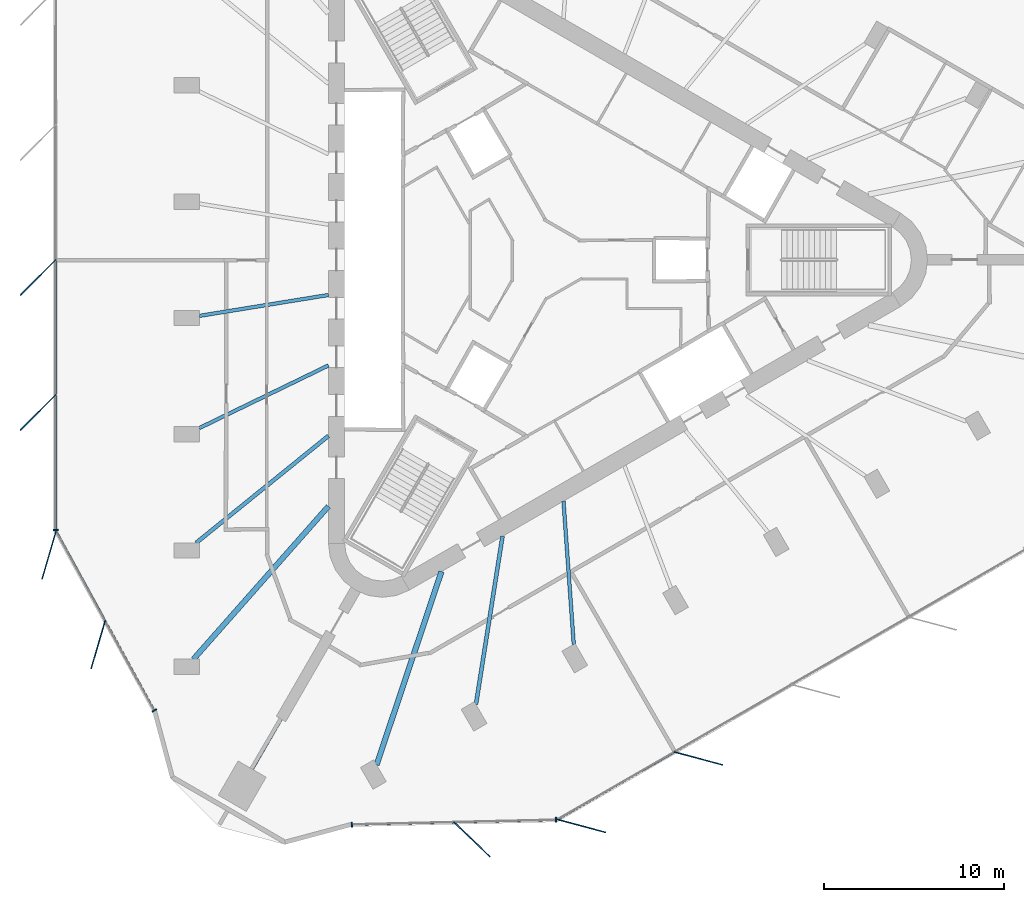
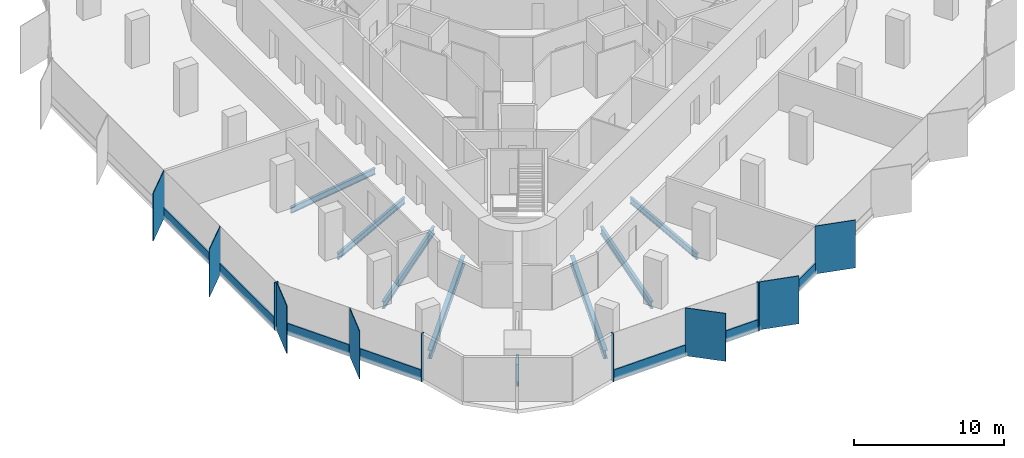
# One storey, part 2 of 12: 18 members, 8 beams, 4 elements without a shape of their own.
"""IFC4 building model written with IfcOpenShell, lengths in metres."""

from ifc_helpers import new_model, si_unit, direction, frame, origin, origin_2d, place, context, subcontext, project, spatial, rectangle, i_section, extrude, material, material_profile, profile_set, type_object, element, aggregate, save


model = new_model("IFC4")

# Units and contexts
model_context = context("Model", 3, precision=1e-05, world=origin(), true_north=direction((0.0, 1.0)))
body_context = subcontext(model_context, "Body", "Model", "MODEL_VIEW")
ifc_project = project(units=[si_unit("LENGTHUNIT", "METRE"), si_unit("AREAUNIT", "SQUARE_METRE"), si_unit("VOLUMEUNIT", "CUBIC_METRE"), si_unit("PLANEANGLEUNIT", "RADIAN"), si_unit("MASSUNIT", "GRAM", prefix="KILO")], contexts=[model_context])

# Site, building, storey
site_placement = place(None, origin())
site = spatial("IfcSite", under=ifc_project, at=site_placement, CompositionType="ELEMENT")
building_placement = place(site_placement, origin())
building = spatial("IfcBuilding", under=site, at=building_placement, Name="Tanit Gate Tower", CompositionType="ELEMENT")
storey_placement = place(building_placement, frame((0.0, 0.0, 337.699951171875)))
storey = spatial("IfcBuildingStorey", under=building, at=storey_placement, Name="L76", CompositionType="ELEMENT", Elevation=337.699951171875)

# Curtain wall, members
ifc_material_1 = material(Name="Aluminium bronze anodised and glass", Category="aluminium")
curtain_wall_type = type_object("IfcCurtainWallType", Name="Curtain wall typical high", PredefinedType="NOTDEFINED", material=ifc_material_1)
curtain_wall_1_placement = place(storey_placement, origin())
curtain_wall_1 = element("IfcCurtainWall", 1, at=curtain_wall_1_placement, inside=storey, type_object=curtain_wall_type, Name="Curtain wall L76 W2", PredefinedType="NOTDEFINED")
ifc_material_2 = material(Name="Aluminium bronze anodised", Category="aluminium")
ifc_material_profile_1 = material_profile(ifc_material_2, rectangle(XDim=2.800048828125, YDim=0.055908203125, at=origin_2d()), Name="56x2800 bronze fin mullion")
ifc_profile_set_1 = profile_set([ifc_material_profile_1], Name="Aluminium bronze anodised")
member_type_1 = type_object("IfcMemberType", Name="FIN MULLION 56x2800 bronze", PredefinedType="MULLION", material=ifc_profile_set_1)
member_1_placement = place(storey_placement, frame((-28.233642578125, -0.975830078125, -0.300048828125), z_axis=(0.0, 0.0, 1.0), x_axis=(0.707155809403, 0.707057749571, 0.0)))
member_1 = element("IfcMember", 2, at=member_1_placement, type_object=member_type_1, Name="Fin mullion L76 W2.3", PredefinedType="MULLION", context=body_context, shape_type="SweptSolid", body=[
    extrude(rectangle(XDim=2.800048828125, YDim=0.055908203125, at=origin_2d()), origin(), (0.0, 0.0, 1.0), 3.900146484375),
])
member_2_placement = place(storey_placement, frame((-28.234130859375, -8.47998046875, -0.300048828125), z_axis=(0.0, 0.0, 1.0), x_axis=(0.707155809403, 0.707057749571, 0.0)))
member_2 = element("IfcMember", 3, at=member_2_placement, type_object=member_type_1, Name="Fin mullion L76 W2.4", PredefinedType="MULLION", context=body_context, shape_type="SweptSolid", body=[
    extrude(rectangle(XDim=2.800048828125, YDim=0.055908203125, at=origin_2d()), origin(), (0.0, 0.0, 1.0), 3.900146484375),
])

curtain_wall_2_placement = place(storey_placement, origin())
curtain_wall_2 = element("IfcCurtainWall", 4, at=curtain_wall_2_placement, inside=storey, type_object=curtain_wall_type, Name="Curtain wall L76 W3", PredefinedType="NOTDEFINED")
member_3_placement = place(storey_placement, frame((-27.627197265625, -16.40771484375, -0.300048828125), z_axis=(0.0, 0.0, 1.0), x_axis=(0.280851527319, 0.959751227977, 0.0)))
member_3 = element("IfcMember", 5, at=member_3_placement, type_object=member_type_1, Name="Fin mullion L76 W3.1", PredefinedType="MULLION", context=body_context, shape_type="SweptSolid", body=[
    extrude(rectangle(XDim=2.800048828125, YDim=0.055908203125, at=origin_2d()), origin(), (0.0, 0.0, 1.0), 3.900146484375),
])
member_4_placement = place(storey_placement, frame((-24.899658203125, -21.391845703125, -0.300048828125), z_axis=(0.0, 0.0, 1.0), x_axis=(0.280851527319, 0.959751227977, 0.0)))
member_4 = element("IfcMember", 6, at=member_4_placement, type_object=member_type_1, Name="Fin mullion L76 W3.2", PredefinedType="MULLION", context=body_context, shape_type="SweptSolid", body=[
    extrude(rectangle(XDim=2.800048828125, YDim=0.055908203125, at=origin_2d()), origin(), (0.0, 0.0, 1.0), 3.900146484375),
])

# Curtain wall, member
curtain_wall_3_placement = place(storey_placement, origin())
curtain_wall_3 = element("IfcCurtainWall", 7, at=curtain_wall_3_placement, inside=storey, type_object=curtain_wall_type, Name="Curtain wall L76 SE1", PredefinedType="NOTDEFINED")
member_5_placement = place(storey_placement, frame((-4.125, -32.2138671875, -0.300048828125), z_axis=(0.0, 0.0, 1.0), x_axis=(-0.723210744855, 0.690627409336, 0.0)))
member_5 = element("IfcMember", 8, at=member_5_placement, type_object=member_type_1, Name="Fin mullion L76 SE1.2", PredefinedType="MULLION", context=body_context, shape_type="SweptSolid", body=[
    extrude(rectangle(XDim=2.800048828125, YDim=0.055908203125, at=origin_2d()), origin(), (0.0, 0.0, 1.0), 3.900146484375),
])

# Curtain wall, members
curtain_wall_4_placement = place(storey_placement, origin())
curtain_wall_4 = element("IfcCurtainWall", 9, at=curtain_wall_4_placement, inside=storey, type_object=curtain_wall_type, Name="Curtain wall L76 SE2", PredefinedType="NOTDEFINED")
member_6_placement = place(storey_placement, frame((1.964111328125, -31.46630859375, -0.300048828125), z_axis=(0.0, 0.0, 1.0), x_axis=(-0.965907877772, 0.258886020591, 0.0)))
member_6 = element("IfcMember", 10, at=member_6_placement, type_object=member_type_1, Name="Fin mullion L76 SE2.1", PredefinedType="MULLION", context=body_context, shape_type="SweptSolid", body=[
    extrude(rectangle(XDim=2.800048828125, YDim=0.055908203125, at=origin_2d()), origin(), (0.0, 0.0, 1.0), 3.900146484375),
])
member_7_placement = place(storey_placement, frame((8.463134765625, -27.71484375, -0.300048828125), z_axis=(0.0, 0.0, 1.0), x_axis=(-0.965907877772, 0.258886020591, 0.0)))
member_7 = element("IfcMember", 11, at=member_7_placement, type_object=member_type_1, Name="Fin mullion L76 SE2.2", PredefinedType="MULLION", context=body_context, shape_type="SweptSolid", body=[
    extrude(rectangle(XDim=2.800048828125, YDim=0.055908203125, at=origin_2d()), origin(), (0.0, 0.0, 1.0), 3.900146484375),
])

# Member
ifc_material_3 = material(Name="Aluminium bronze anodised", Category="aluminium")
ifc_material_profile_2 = material_profile(ifc_material_3, rectangle(XDim=0.280029296875, YDim=0.080078125, at=origin_2d()), Name="80x280 bronze mullion")
ifc_profile_set_2 = profile_set([ifc_material_profile_2], Name="Aluminium bronze anodised")
member_type_2 = type_object("IfcMemberType", Name="Mullion 80x280 typical high", PredefinedType="MULLION", material=ifc_profile_set_2)
member_8_placement = place(storey_placement, frame((-27.2587890625, -15.008056640625, -0.300048828125), z_axis=(0.0, 0.0, 1.0), x_axis=(0.999999997596, -6.9338772e-05, 0.0)))
member_8 = element("IfcMember", 12, at=member_8_placement, type_object=member_type_2, Name="Mullion L76 W2.5", PredefinedType="MULLION", context=body_context, shape_type="SweptSolid", body=[
    extrude(rectangle(XDim=0.280029296875, YDim=0.080078125, at=origin_2d()), origin(), (0.0, 0.0, 1.0), 3.900146484375),
])

member_9_placement = place(storey_placement, frame((-21.78466796875, -25.051025390625, -0.300048828125), z_axis=(0.0, 0.0, 1.0), x_axis=(0.877238621028, 0.48005458208, 0.0)))
member_9 = element("IfcMember", 13, at=member_9_placement, type_object=member_type_2, Name="Mullion L76 W3.3", PredefinedType="MULLION", context=body_context, shape_type="SweptSolid", body=[
    extrude(rectangle(XDim=0.280029296875, YDim=0.080078125, at=origin_2d()), origin(), (0.0, 0.0, 1.0), 3.900146484375),
])

member_10_placement = place(storey_placement, frame((-10.802490234375, -31.3916015625, -0.300048828125), z_axis=(0.0, 0.0, 1.0), x_axis=(-0.023039897499, 0.999734546329, 0.0)))
member_10 = element("IfcMember", 14, at=member_10_placement, type_object=member_type_2, Name="Mullion L76 SE1.1", PredefinedType="MULLION", context=body_context, shape_type="SweptSolid", body=[
    extrude(rectangle(XDim=0.280029296875, YDim=0.080078125, at=origin_2d()), origin(), (0.0, 0.0, 1.0), 3.900146484375),
])

member_11_placement = place(storey_placement, frame((0.556396484375, -31.1298828125, -0.300048828125), z_axis=(0.0, 0.0, 1.0), x_axis=(-0.023039897499, 0.999734546329, 0.0)))
member_11 = element("IfcMember", 15, at=member_11_placement, type_object=member_type_2, Name="Mullion L76 SE1.3", PredefinedType="MULLION", context=body_context, shape_type="SweptSolid", body=[
    extrude(rectangle(XDim=0.280029296875, YDim=0.080078125, at=origin_2d()), origin(), (0.0, 0.0, 1.0), 3.900146484375),
])

# Beams
ifc_material_4 = material(Name="Steel S355", Category="steel")
ifc_material_profile_3 = material_profile(ifc_material_4, i_section(OverallWidth=0.300048828125, OverallDepth=0.68994140625, WebThickness=0.014404296875, FlangeThickness=0.027099609375, FilletRadius=0.027099609375, at=origin_2d()), Name="HEA 700")
ifc_profile_set_3 = profile_set([ifc_material_profile_3], Name="Steel S355")
beam_type_1 = type_object("IfcBeamType", Name="RADIAL GIRDER HEA 700 S355", PredefinedType="BEAM", material=ifc_profile_set_3)
for number, where, z_axis, x_axis, name in (
    (16, (-19.602294921875, -22.198486328125, -0.64501953125), (0.661911618894, 0.749581889304, 0.0), (-0.749581889304, 0.661911618894, 0.0), "RADIAL GIRDER"),
    (17, (-9.42333984375, -28.075439453125, -0.64501953125), (0.318204952312, 0.948021945065, 0.0), (-0.948021945065, 0.318204952312, 0.0), "RADIAL GIRDER"),
):
    element("IfcBeam", number, at=place(storey_placement, frame(where, z_axis=z_axis, x_axis=x_axis)), inside=storey, type_object=beam_type_1, Name=name, PredefinedType="BEAM", context=body_context, shape_type="SweptSolid", body=[
        extrude(i_section(OverallWidth=0.300048828125, OverallDepth=0.68994140625, WebThickness=0.014404296875, FlangeThickness=0.027099609375, FilletRadius=0.027099609375, at=origin_2d()), origin(), (0.0, 0.0, 1.0), 11.331298828125),
    ])
ifc_material_5 = material(Name="Steel S355", Category="steel")
ifc_material_profile_4 = material_profile(ifc_material_5, i_section(OverallWidth=0.179931640625, OverallDepth=0.39990234375, WebThickness=0.008544921875, FlangeThickness=0.013427734375, FilletRadius=0.02099609375, at=origin_2d()), Name="IPE 400")
ifc_profile_set_4 = profile_set([ifc_material_profile_4], Name="Steel S355")
beam_type_2 = type_object("IfcBeamType", Name="RADIAL GIRDER IPE 400 S355", PredefinedType="BEAM", material=ifc_profile_set_4)
beam_1_placement = place(storey_placement, frame((-16.343505859375, -28.30810546875, -0.5), z_axis=(0.499967746641, 0.866044024469, 0.0), x_axis=(-0.866044024469, 0.499967746641, 0.0)))
element("IfcBeam", 18, at=beam_1_placement, inside=storey, type_object=beam_type_2, Name="RADIAL GIRDER", PredefinedType="BEAM", context=body_context, shape_type="SweptSolid", body=[
    extrude(i_section(OverallWidth=0.179931640625, OverallDepth=0.39990234375, WebThickness=0.008544921875, FlangeThickness=0.013427734375, FilletRadius=0.02099609375, at=origin_2d()), origin(), (0.0, 0.0, 1.0), 3.216552734375),
])
ifc_material_6 = material(Name="Steel S355", Category="steel")
ifc_material_profile_5 = material_profile(ifc_material_6, i_section(OverallWidth=0.199951171875, OverallDepth=0.5, WebThickness=0.01025390625, FlangeThickness=0.01611328125, FilletRadius=0.02099609375, at=origin_2d()), Name="IPE 500")
ifc_profile_set_5 = profile_set([ifc_material_profile_5], Name="Steel S355")
beam_type_3 = type_object("IfcBeamType", Name="RADIAL GIRDER IPE 500 S355", PredefinedType="BEAM", material=ifc_profile_set_5)
beam_2_placement = place(storey_placement, frame((-19.277587890625, -3.11865234375, -0.550048828125), z_axis=(0.987164361899, 0.159707615965, 0.0), x_axis=(-0.159707615965, 0.987164361899, 0.0)))
element("IfcBeam", 19, at=beam_2_placement, inside=storey, type_object=beam_type_3, Name="RADIAL GIRDER", PredefinedType="BEAM", context=body_context, shape_type="SweptSolid", body=[
    extrude(i_section(OverallWidth=0.199951171875, OverallDepth=0.5, WebThickness=0.01025390625, FlangeThickness=0.01611328125, FilletRadius=0.02099609375, at=origin_2d()), origin(), (0.0, 0.0, 1.0), 7.268798828125),
])
for number, where, z_axis, x_axis, name in (
    (20, (-19.277587890625, -9.356201171875, -0.550048828125), (0.899635975272, 0.43664071271, 0.0), (-0.43664071271, 0.899635975272, 0.0), "RADIAL GIRDER"),
    (21, (1.5361328125, -21.373046875, -0.550048828125), (-0.071686446401, 0.997427217095, 0.0), (-0.997427217095, -0.071686446401, 0.0), "RADIAL GIRDER"),
):
    element("IfcBeam", number, at=place(storey_placement, frame(where, z_axis=z_axis, x_axis=x_axis)), inside=storey, type_object=beam_type_3, Name=name, PredefinedType="BEAM", context=body_context, shape_type="SweptSolid", body=[
        extrude(i_section(OverallWidth=0.199951171875, OverallDepth=0.5, WebThickness=0.01025390625, FlangeThickness=0.01611328125, FilletRadius=0.02099609375, at=origin_2d()), origin(), (0.0, 0.0, 1.0), 7.97607421875),
    ])
ifc_material_7 = material(Name="Steel S355", Category="steel")
ifc_material_profile_6 = material_profile(ifc_material_7, i_section(OverallWidth=0.219970703125, OverallDepth=0.60009765625, WebThickness=0.011962890625, FlangeThickness=0.01904296875, FilletRadius=0.02392578125, at=origin_2d()), Name="IPE 600")
ifc_profile_set_6 = profile_set([ifc_material_profile_6], Name="Steel S355")
beam_type_4 = type_object("IfcBeamType", Name="RADIAL GIRDER IPE 600 S355", PredefinedType="BEAM", material=ifc_profile_set_6)
for number, where, z_axis, x_axis, name in (
    (22, (-19.452392578125, -15.734619140625, -0.599853515625), (0.777488974624, 0.628896568872, 0.0), (-0.628896568872, 0.777488974624, 0.0), "RADIAL GIRDER"),
    (23, (-3.900390625, -24.713623046875, -0.599853515625), (0.155875049661, 0.987776780904, 0.0), (-0.987776780904, 0.155875049661, 0.0), "RADIAL GIRDER"),
):
    element("IfcBeam", number, at=place(storey_placement, frame(where, z_axis=z_axis, x_axis=x_axis)), inside=storey, type_object=beam_type_4, Name=name, PredefinedType="BEAM", context=body_context, shape_type="SweptSolid", body=[
        extrude(i_section(OverallWidth=0.219970703125, OverallDepth=0.60009765625, WebThickness=0.011962890625, FlangeThickness=0.01904296875, FilletRadius=0.02392578125, at=origin_2d()), origin(), (0.0, 0.0, 1.0), 9.453857421875),
    ])

# Member
ifc_material_8 = material(Name="Aluminium bronze anodised", Category="aluminium")
ifc_material_profile_7 = material_profile(ifc_material_8, rectangle(XDim=0.1201171875, YDim=0.89990234375, at=origin_2d()), Name="120x900 bronze transom")
ifc_profile_set_7 = profile_set([ifc_material_profile_7], Name="Aluminium bronze anodised")
member_type_3 = type_object("IfcMemberType", Name="Transom 120x900 typical high", PredefinedType="USERDEFINED", material=ifc_profile_set_7)
member_12_placement = place(storey_placement, frame((-27.2578125, -0.0400390625, 0.150146484375), z_axis=(-6.5770002e-05, -0.999999997837, 0.0), x_axis=(0.999999997837, -6.5770002e-05, 0.0)))
member_12 = element("IfcMember", 24, at=member_12_placement, type_object=member_type_3, Name="Transom L76 W2.3", ObjectType="TRANSOM", PredefinedType="USERDEFINED", context=body_context, shape_type="SweptSolid", body=[
    extrude(rectangle(XDim=0.1201171875, YDim=0.89990234375, at=origin_2d()), origin(), (0.0, 0.0, 1.0), 7.424072265625),
])

member_13_placement = place(storey_placement, frame((-27.25830078125, -7.5439453125, 0.150146484375), z_axis=(-6.5770002e-05, -0.999999997837, 0.0), x_axis=(0.999999997837, -6.5770002e-05, 0.0)))
member_13 = element("IfcMember", 25, at=member_13_placement, type_object=member_type_3, Name="Transom L76 W2.4", ObjectType="TRANSOM", PredefinedType="USERDEFINED", context=body_context, shape_type="SweptSolid", body=[
    extrude(rectangle(XDim=0.1201171875, YDim=0.89990234375, at=origin_2d()), origin(), (0.0, 0.0, 1.0), 7.424072265625),
])

aggregate(curtain_wall_1, [member_1, member_2, member_8, member_12, member_13])

member_14_placement = place(storey_placement, frame((-27.220458984375, -15.1181640625, 0.150146484375), z_axis=(0.480082295211, -0.877223454899, 0.0), x_axis=(0.877223454899, 0.480082295211, 0.0)))
member_14 = element("IfcMember", 26, at=member_14_placement, type_object=member_type_3, Name="Transom L76 W3.1", ObjectType="TRANSOM", PredefinedType="USERDEFINED", context=body_context, shape_type="SweptSolid", body=[
    extrude(rectangle(XDim=0.1201171875, YDim=0.89990234375, at=origin_2d()), origin(), (0.0, 0.0, 1.0), 5.6015625),
])

member_15_placement = place(storey_placement, frame((-24.492919921875, -20.102294921875, 0.150146484375), z_axis=(0.480067110236, -0.877231765082, 0.0), x_axis=(0.877231765082, 0.480067110236, 0.0)))
member_15 = element("IfcMember", 27, at=member_15_placement, type_object=member_type_3, Name="Transom L76 W3.2", ObjectType="TRANSOM", PredefinedType="USERDEFINED", context=body_context, shape_type="SweptSolid", body=[
    extrude(rectangle(XDim=0.1201171875, YDim=0.89990234375, at=origin_2d()), origin(), (0.0, 0.0, 1.0), 5.601318359375),
])

aggregate(curtain_wall_2, [member_3, member_4, member_9, member_14, member_15])

member_16_placement = place(storey_placement, frame((-10.762451171875, -31.390625, 0.150146484375), z_axis=(0.999735108653, 0.023015484516, 0.0), x_axis=(-0.023015484516, 0.999735108653, 0.0)))
member_16 = element("IfcMember", 28, at=member_16_placement, type_object=member_type_3, Name="Transom L76 SE1.1", ObjectType="TRANSOM", PredefinedType="USERDEFINED", context=body_context, shape_type="SweptSolid", body=[
    extrude(rectangle(XDim=0.1201171875, YDim=0.89990234375, at=origin_2d()), origin(), (0.0, 0.0, 1.0), 5.600830078125),
])

member_17_placement = place(storey_placement, frame((-5.0830078125, -31.259765625, 0.150146484375), z_axis=(0.999735108653, 0.023015484516, 0.0), x_axis=(-0.023015484516, 0.999735108653, 0.0)))
member_17 = element("IfcMember", 29, at=member_17_placement, type_object=member_type_3, Name="Transom L76 SE1.2", ObjectType="TRANSOM", PredefinedType="USERDEFINED", context=body_context, shape_type="SweptSolid", body=[
    extrude(rectangle(XDim=0.1201171875, YDim=0.89990234375, at=origin_2d()), origin(), (0.0, 0.0, 1.0), 5.600830078125),
])

aggregate(curtain_wall_3, [member_10, member_5, member_11, member_16, member_17])

member_18_placement = place(storey_placement, frame((0.665771484375, -31.0888671875, 0.150146484375), z_axis=(0.866061277435, 0.499937859866, 0.0), x_axis=(-0.499937859866, 0.866061277435, 0.0)))
member_18 = element("IfcMember", 30, at=member_18_placement, type_object=member_type_3, Name="Transom L76 SE2.1", ObjectType="TRANSOM", PredefinedType="USERDEFINED", context=body_context, shape_type="SweptSolid", body=[
    extrude(rectangle(XDim=0.1201171875, YDim=0.89990234375, at=origin_2d()), origin(), (0.0, 0.0, 1.0), 7.423828125),
])

aggregate(curtain_wall_4, [member_6, member_7, member_18])

save(model, "model.ifc")
